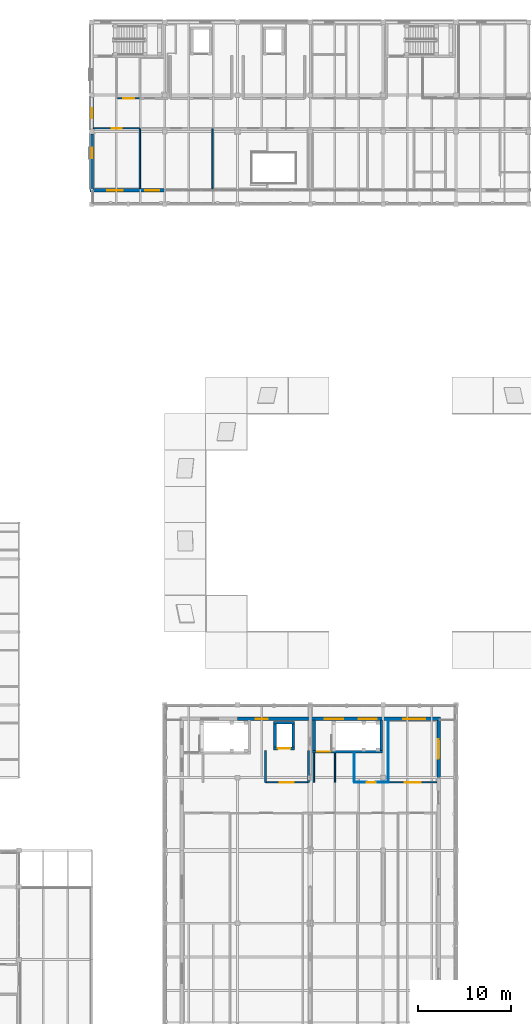
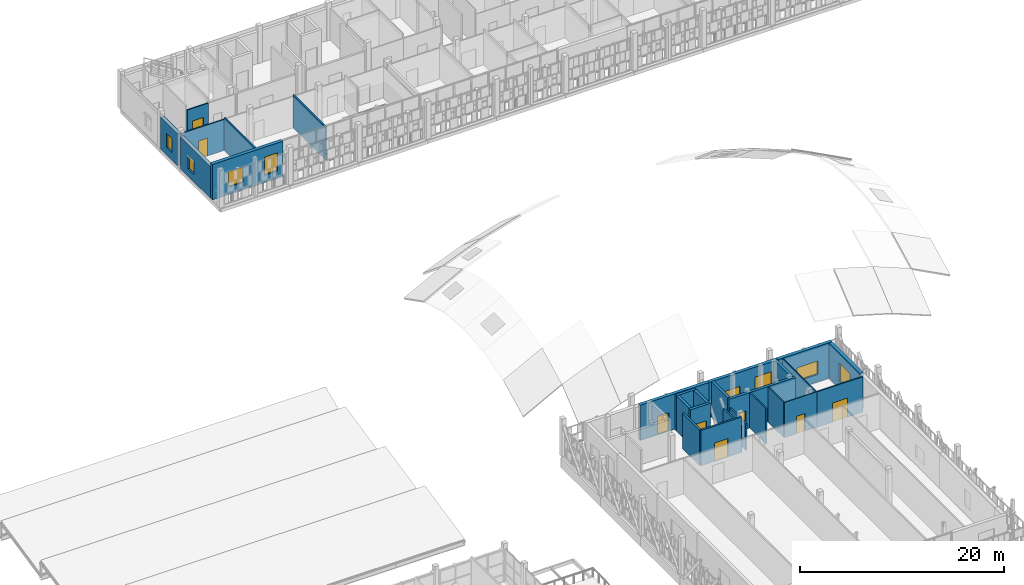
# One storey, part 68 of 89: 27 walls, 8 doors, 8 windows, 16 openings.
"""IFC4 building model written with IfcOpenShell, lengths in metres."""

from ifc_helpers import new_model, si_unit, direction, frame, frame_2d, origin, place, context, subcontext, project, spatial, rectangle, extrude, material, layer, layer_set, type_object, element, fill, save


model = new_model("IFC4")

# Units and contexts
model_context = context("Model", 3, precision=1e-05, world=origin(), true_north=direction((0.0, 1.0)))
body_context = subcontext(model_context, "Body", "Model", "MODEL_VIEW")
ifc_project = project(units=[si_unit("LENGTHUNIT", "METRE"), si_unit("AREAUNIT", "SQUARE_METRE"), si_unit("VOLUMEUNIT", "CUBIC_METRE"), si_unit("PLANEANGLEUNIT", "RADIAN"), si_unit("MASSUNIT", "GRAM", prefix="KILO")], contexts=[model_context])

# Site, building, storey
site_placement = place(None, origin())
site = spatial("IfcSite", under=ifc_project, at=site_placement, CompositionType="ELEMENT")
building_placement = place(site_placement, origin())
building = spatial("IfcBuilding", under=site, at=building_placement, Name="Celorna Specialist Clinic", CompositionType="ELEMENT")
storey_placement = place(building_placement, frame((0.0, 0.0, 14.10009765625)))
storey = spatial("IfcBuildingStorey", under=building, at=storey_placement, Name="L03", CompositionType="ELEMENT", Elevation=14.10009765625)

# Wall, openings, windows
ifc_material_1 = material(Name="Terracotta masonry with insulated cavity", Category="masonry")
ifc_layer_1 = layer(ifc_material_1, 0.3798828125, Name="Terracotta masonry with insulated cavity")
ifc_layer_set_1 = layer_set([ifc_layer_1], Name="Terracotta masonry with insulated cavity")
wall_type_1 = type_object("IfcWallType", Name="WT-06", PredefinedType="STANDARD", material=ifc_layer_set_1)
wall_1_placement = place(storey_placement, frame((54.60009765625, 98.0, 0.0), z_axis=(0.0, 0.0, 1.0), x_axis=(-1.0, 0.0, 0.0)))
wall_1 = element("IfcWall", 1, at=wall_1_placement, inside=storey, type_object=wall_type_1, Name="External facade wall WT-06 #254", PredefinedType="STANDARD", context=body_context, shape_type="SweptSolid", body=[
    extrude(rectangle(XDim=7.989990234375, YDim=0.3798828125, at=frame_2d((3.9951171875, 0.0))), origin(), (0.0, 0.0, 1.0), 4.260009765625),
])
opening_1_placement = place(wall_1_placement, frame((0.590087890625, 0.0, 0.89990234375)))
opening_1 = element("IfcOpeningElement", 2, at=opening_1_placement, cuts=wall_1, Name="Opening WN-10", PredefinedType="OPENING", context=body_context, shape_type="SweptSolid", body=[
    extrude(rectangle(XDim=1.5, YDim=2.199951171875, at=frame_2d((0.75, 1.10009765625))), frame((0.0, 0.199951171875, 0.0), z_axis=(0.0, -1.0, 0.0), x_axis=(1.0, 0.0, 0.0)), (0.0, 0.0, 1.0), 0.39990234375),
])
opening_2_placement = place(wall_1_placement, frame((4.489990234375, 0.0, 0.89990234375)))
opening_2 = element("IfcOpeningElement", 3, at=opening_2_placement, cuts=wall_1, Name="Opening WN-11", PredefinedType="OPENING", context=body_context, shape_type="SweptSolid", body=[
    extrude(rectangle(XDim=1.64990234375, YDim=1.85009765625, at=frame_2d((0.824951171875, 0.925048828125))), frame((0.0, 0.199951171875, 0.0), z_axis=(0.0, -1.0, 0.0), x_axis=(1.0, 0.0, 0.0)), (0.0, 0.0, 1.0), 0.39990234375),
])
ifc_material_2 = material(Name="Thermally broken aluminium triple-glazed window", Category="aluminium")
window_type_1 = type_object("IfcWindowType", Name="WN-10", PartitioningType="SINGLE_PANEL", PredefinedType="WINDOW", material=ifc_material_2)
window_1_placement = place(opening_1_placement, origin())
window_1 = element("IfcWindow", 4, at=window_1_placement, inside=storey, type_object=window_type_1, Name="Facade window WN-10 #133", OverallHeight=2.199951171875, OverallWidth=1.5, PartitioningType="SINGLE_PANEL", PredefinedType="WINDOW", context=body_context, shape_type="SweptSolid", body=[
    extrude(rectangle(XDim=1.5, YDim=2.199951171875, at=frame_2d((0.75, 1.10009765625))), frame((0.0, 0.030029296875, 0.0), z_axis=(0.0, -1.0, 0.0), x_axis=(1.0, 0.0, 0.0)), (0.0, 0.0, 1.0), 0.06005859375),
])
fill(opening_1, window_1)
window_type_2 = type_object("IfcWindowType", Name="WN-11", PartitioningType="SINGLE_PANEL", PredefinedType="WINDOW", material=ifc_material_2)
window_2_placement = place(opening_2_placement, origin())
window_2 = element("IfcWindow", 5, at=window_2_placement, inside=storey, type_object=window_type_2, Name="Facade window WN-11 #134", OverallHeight=1.85009765625, OverallWidth=1.64990234375, PartitioningType="SINGLE_PANEL", PredefinedType="WINDOW", context=body_context, shape_type="SweptSolid", body=[
    extrude(rectangle(XDim=1.64990234375, YDim=1.85009765625, at=frame_2d((0.824951171875, 0.925048828125))), frame((0.0, 0.030029296875, 0.0), z_axis=(0.0, -1.0, 0.0), x_axis=(1.0, 0.0, 0.0)), (0.0, 0.0, 1.0), 0.06005859375),
])
fill(opening_2, window_2)

# Wall, opening, window
wall_2_placement = place(storey_placement, frame((46.800048828125, 98.18994140625, 0.0), z_axis=(0.0, 0.0, 1.0), x_axis=(0.0, 1.0, 0.0)))
wall_2 = element("IfcWall", 6, at=wall_2_placement, inside=storey, type_object=wall_type_1, Name="External facade wall WT-06 #268", PredefinedType="STANDARD", context=body_context, shape_type="SweptSolid", body=[
    extrude(rectangle(XDim=5.860107421875, YDim=0.3798828125, at=frame_2d((2.93017578125, 0.0))), origin(), (0.0, 0.0, 1.0), 3.81982421875),
])
opening_3_placement = place(wall_2_placement, frame((3.25, 0.0, 0.89990234375)))
opening_3 = element("IfcOpeningElement", 7, at=opening_3_placement, cuts=wall_2, Name="Opening WN-03", PredefinedType="OPENING", context=body_context, shape_type="SweptSolid", body=[
    extrude(rectangle(XDim=1.10009765625, YDim=1.60009765625, at=frame_2d((0.550048828125, 0.800048828125))), frame((0.0, 0.199951171875, 0.0), z_axis=(0.0, -1.0, 0.0), x_axis=(1.0, 0.0, 0.0)), (0.0, 0.0, 1.0), 0.39990234375),
])
window_type_3 = type_object("IfcWindowType", Name="WN-03", PartitioningType="SINGLE_PANEL", PredefinedType="WINDOW", material=ifc_material_2)
window_3_placement = place(opening_3_placement, origin())
window_3 = element("IfcWindow", 8, at=window_3_placement, inside=storey, type_object=window_type_3, Name="Facade window WN-03 #146", OverallHeight=1.60009765625, OverallWidth=1.10009765625, PartitioningType="SINGLE_PANEL", PredefinedType="WINDOW", context=body_context, shape_type="SweptSolid", body=[
    extrude(rectangle(XDim=1.10009765625, YDim=1.60009765625, at=frame_2d((0.550048828125, 0.800048828125))), frame((0.0, 0.030029296875, 0.0), z_axis=(0.0, -1.0, 0.0), x_axis=(1.0, 0.0, 0.0)), (0.0, 0.0, 1.0), 0.06005859375),
])
fill(opening_3, window_3)

wall_3_placement = place(storey_placement, frame((46.800048828125, 104.550048828125, 0.0), z_axis=(0.0, 0.0, 1.0), x_axis=(0.0, 1.0, 0.0)))
wall_3 = element("IfcWall", 9, at=wall_3_placement, inside=storey, type_object=wall_type_1, Name="External facade wall WT-06 #269", PredefinedType="STANDARD", context=body_context, shape_type="SweptSolid", body=[
    extrude(rectangle(XDim=3.39990234375, YDim=0.3798828125, at=frame_2d((1.699951171875, 0.0))), origin(), (0.0, 0.0, 1.0), 3.81982421875),
])
opening_4_placement = place(wall_3_placement, frame((1.175048828125, 0.0, 0.89990234375)))
opening_4 = element("IfcOpeningElement", 10, at=opening_4_placement, cuts=wall_3, Name="Opening WN-21", PredefinedType="OPENING", context=body_context, shape_type="SweptSolid", body=[
    extrude(rectangle(XDim=1.050048828125, YDim=1.64990234375, at=frame_2d((0.52490234375, 0.824951171875))), frame((0.0, 0.199951171875, 0.0), z_axis=(0.0, -1.0, 0.0), x_axis=(1.0, 0.0, 0.0)), (0.0, 0.0, 1.0), 0.39990234375),
])
window_type_4 = type_object("IfcWindowType", Name="WN-21", PartitioningType="SINGLE_PANEL", PredefinedType="WINDOW", material=ifc_material_2)
window_4_placement = place(opening_4_placement, origin())
window_4 = element("IfcWindow", 11, at=window_4_placement, inside=storey, type_object=window_type_4, Name="Facade window WN-21 #147", OverallHeight=1.64990234375, OverallWidth=1.050048828125, PartitioningType="SINGLE_PANEL", PredefinedType="WINDOW", context=body_context, shape_type="SweptSolid", body=[
    extrude(rectangle(XDim=1.050048828125, YDim=1.64990234375, at=frame_2d((0.52490234375, 0.824951171875))), frame((0.0, 0.030029296875, 0.0), z_axis=(0.0, -1.0, 0.0), x_axis=(1.0, 0.0, 0.0)), (0.0, 0.0, 1.0), 0.06005859375),
])
fill(opening_4, window_4)

# Wall, opening, door
wall_4_placement = place(storey_placement, frame((62.39990234375, 41.39990234375, 0.0), z_axis=(0.0, 0.0, 1.0), x_axis=(1.0, 0.0, 0.0)))
wall_4 = element("IfcWall", 12, at=wall_4_placement, inside=storey, type_object=wall_type_1, Name="External facade wall WT-06 #412", PredefinedType="STANDARD", context=body_context, shape_type="SweptSolid", body=[
    extrude(rectangle(XDim=7.800048828125, YDim=0.3798828125, at=frame_2d((3.89990234375, 0.0))), origin(), (0.0, 0.0, 1.0), 4.239990234375),
])
opening_5_placement = place(wall_4_placement, frame((1.97509765625, 0.0, 0.0)))
opening_5 = element("IfcOpeningElement", 13, at=opening_5_placement, cuts=wall_4, Name="Opening DR-13", PredefinedType="OPENING", context=body_context, shape_type="SweptSolid", body=[
    extrude(rectangle(XDim=1.25, YDim=2.199951171875, at=frame_2d((0.625, 1.10009765625))), frame((0.0, 0.199951171875, 0.0), z_axis=(0.0, -1.0, 0.0), x_axis=(1.0, 0.0, 0.0)), (0.0, 0.0, 1.0), 0.39990234375),
])
ifc_material_3 = material(Name="Thermally broken glazed terrace door")
door_type_1 = type_object("IfcDoorType", Name="DR-13", OperationType="NOTDEFINED", PredefinedType="DOOR", material=ifc_material_3)
door_1_placement = place(opening_5_placement, frame((1.25, 0.0, 0.0), z_axis=(0.0, 0.0, 1.0), x_axis=(-1.0, 0.0, 0.0)))
door_1 = element("IfcDoor", 14, at=door_1_placement, inside=storey, type_object=door_type_1, Name="Terrace access door TER-V6-N-L03", OperationType="SINGLE_SWING_LEFT", OverallHeight=2.199951171875, OverallWidth=1.25, PredefinedType="DOOR", context=body_context, shape_type="SweptSolid", body=[
    extrude(rectangle(XDim=1.25, YDim=2.199951171875, at=frame_2d((0.625, 1.10009765625))), frame((0.0, 0.02490234375, 0.0), z_axis=(0.0, -1.0, 0.0), x_axis=(1.0, 0.0, 0.0)), (0.0, 0.0, 1.0), 0.050048828125),
])
fill(opening_5, door_1)

# Wall, openings, windows
wall_5_placement = place(storey_placement, frame((70.199951171875, 41.39990234375, 0.0), z_axis=(0.0, 0.0, 1.0), x_axis=(1.0, 0.0, 0.0)))
wall_5 = element("IfcWall", 15, at=wall_5_placement, inside=storey, type_object=wall_type_1, Name="External facade wall WT-06 #413", PredefinedType="STANDARD", context=body_context, shape_type="SweptSolid", body=[
    extrude(rectangle(XDim=7.800048828125, YDim=0.3798828125, at=frame_2d((3.89990234375, 0.0))), origin(), (0.0, 0.0, 1.0), 4.239990234375),
])
opening_6_placement = place(wall_5_placement, frame((1.56494140625, 0.0, 0.89990234375)))
opening_6 = element("IfcOpeningElement", 16, at=opening_6_placement, cuts=wall_5, Name="Opening WN-15", PredefinedType="OPENING", context=body_context, shape_type="SweptSolid", body=[
    extrude(rectangle(XDim=1.949951171875, YDim=1.64990234375, at=frame_2d((0.97509765625, 0.824951171875))), frame((0.0, 0.199951171875, 0.0), z_axis=(0.0, -1.0, 0.0), x_axis=(1.0, 0.0, 0.0)), (0.0, 0.0, 1.0), 0.39990234375),
])
opening_7_placement = place(wall_5_placement, frame((5.1650390625, 0.0, 0.89990234375)))
opening_7 = element("IfcOpeningElement", 17, at=opening_7_placement, cuts=wall_5, Name="Opening WN-16", PredefinedType="OPENING", context=body_context, shape_type="SweptSolid", body=[
    extrude(rectangle(XDim=1.949951171875, YDim=2.14990234375, at=frame_2d((0.97509765625, 1.074951171875))), frame((0.0, 0.199951171875, 0.0), z_axis=(0.0, -1.0, 0.0), x_axis=(1.0, 0.0, 0.0)), (0.0, 0.0, 1.0), 0.39990234375),
])
ifc_material_4 = material(Name="Screen-aligned modular clinic window")
window_type_5 = type_object("IfcWindowType", Name="WN-15", PartitioningType="SINGLE_PANEL", PredefinedType="WINDOW", material=ifc_material_4)
window_5_placement = place(opening_6_placement, origin())
window_5 = element("IfcWindow", 18, at=window_5_placement, inside=storey, type_object=window_type_5, Name="Facade window WN-15 #271", OverallHeight=1.64990234375, OverallWidth=1.949951171875, PartitioningType="SINGLE_PANEL", PredefinedType="WINDOW", context=body_context, shape_type="SweptSolid", body=[
    extrude(rectangle(XDim=1.949951171875, YDim=1.64990234375, at=frame_2d((0.97509765625, 0.824951171875))), frame((0.0, 0.030029296875, 0.0), z_axis=(0.0, -1.0, 0.0), x_axis=(1.0, 0.0, 0.0)), (0.0, 0.0, 1.0), 0.06005859375),
])
fill(opening_6, window_5)
window_type_6 = type_object("IfcWindowType", Name="WN-16", PartitioningType="SINGLE_PANEL", PredefinedType="WINDOW", material=ifc_material_4)
window_6_placement = place(opening_7_placement, origin())
window_6 = element("IfcWindow", 19, at=window_6_placement, inside=storey, type_object=window_type_6, Name="Facade window WN-16 #272", OverallHeight=2.14990234375, OverallWidth=1.949951171875, PartitioningType="SINGLE_PANEL", PredefinedType="WINDOW", context=body_context, shape_type="SweptSolid", body=[
    extrude(rectangle(XDim=1.949951171875, YDim=2.14990234375, at=frame_2d((0.97509765625, 1.074951171875))), frame((0.0, 0.030029296875, 0.0), z_axis=(0.0, -1.0, 0.0), x_axis=(1.0, 0.0, 0.0)), (0.0, 0.0, 1.0), 0.06005859375),
])
fill(opening_7, window_6)

# Wall, opening, window
wall_6_placement = place(storey_placement, frame((78.0, 41.39990234375, 0.0), z_axis=(0.0, 0.0, 1.0), x_axis=(1.0, 0.0, 0.0)))
wall_6 = element("IfcWall", 20, at=wall_6_placement, inside=storey, type_object=wall_type_1, Name="External facade wall WT-06 #414", PredefinedType="STANDARD", context=body_context, shape_type="SweptSolid", body=[
    extrude(rectangle(XDim=6.139892578125, YDim=0.3798828125, at=frame_2d((3.06982421875, 0.0))), origin(), (0.0, 0.0, 1.0), 4.239990234375),
])
opening_8_placement = place(wall_6_placement, frame((2.1298828125, 0.0, 0.89990234375)))
opening_8 = element("IfcOpeningElement", 21, at=opening_8_placement, cuts=wall_6, Name="Opening WN-18", PredefinedType="OPENING", context=body_context, shape_type="SweptSolid", body=[
    extrude(rectangle(XDim=2.39990234375, YDim=1.60009765625, at=frame_2d((1.199951171875, 0.800048828125))), frame((0.0, 0.199951171875, 0.0), z_axis=(0.0, -1.0, 0.0), x_axis=(1.0, 0.0, 0.0)), (0.0, 0.0, 1.0), 0.39990234375),
])
ifc_material_5 = material(Name="Infusion suite panoramic window")
window_type_7 = type_object("IfcWindowType", Name="WN-18", PartitioningType="SINGLE_PANEL", PredefinedType="WINDOW", material=ifc_material_5)
window_7_placement = place(opening_8_placement, origin())
window_7 = element("IfcWindow", 22, at=window_7_placement, inside=storey, type_object=window_type_7, Name="Facade window WN-18 #273", OverallHeight=1.60009765625, OverallWidth=2.39990234375, PartitioningType="SINGLE_PANEL", PredefinedType="WINDOW", context=body_context, shape_type="SweptSolid", body=[
    extrude(rectangle(XDim=2.39990234375, YDim=1.60009765625, at=frame_2d((1.199951171875, 0.800048828125))), frame((0.0, 0.030029296875, 0.0), z_axis=(0.0, -1.0, 0.0), x_axis=(1.0, 0.0, 0.0)), (0.0, 0.0, 1.0), 0.06005859375),
])
fill(opening_8, window_7)

wall_7_placement = place(storey_placement, frame((83.949951171875, 41.2099609375, 0.0), z_axis=(0.0, 0.0, 1.0), x_axis=(0.0, -1.0, 0.0)))
wall_7 = element("IfcWall", 23, at=wall_7_placement, inside=storey, type_object=wall_type_1, Name="External facade wall WT-06 #424", PredefinedType="STANDARD", context=body_context, shape_type="SweptSolid", body=[
    extrude(rectangle(XDim=6.10986328125, YDim=0.3798828125, at=frame_2d((3.054931640625, 0.0))), origin(), (0.0, 0.0, 1.0), 4.239990234375),
])
opening_9_placement = place(wall_7_placement, frame((2.0048828125, 0.0, 0.89990234375)))
opening_9 = element("IfcOpeningElement", 24, at=opening_9_placement, cuts=wall_7, Name="Opening WN-27", PredefinedType="OPENING", context=body_context, shape_type="SweptSolid", body=[
    extrude(rectangle(XDim=2.10009765625, YDim=2.14990234375, at=frame_2d((1.050048828125, 1.074951171875))), frame((0.0, 0.199951171875, 0.0), z_axis=(0.0, -1.0, 0.0), x_axis=(1.0, 0.0, 0.0)), (0.0, 0.0, 1.0), 0.39990234375),
])
window_type_8 = type_object("IfcWindowType", Name="WN-27", PartitioningType="SINGLE_PANEL", PredefinedType="WINDOW", material=ifc_material_2)
window_8_placement = place(opening_9_placement, origin())
window_8 = element("IfcWindow", 25, at=window_8_placement, inside=storey, type_object=window_type_8, Name="Facade window WN-27 #280", OverallHeight=2.14990234375, OverallWidth=2.10009765625, PartitioningType="SINGLE_PANEL", PredefinedType="WINDOW", context=body_context, shape_type="SweptSolid", body=[
    extrude(rectangle(XDim=2.10009765625, YDim=2.14990234375, at=frame_2d((1.050048828125, 1.074951171875))), frame((0.0, 0.030029296875, 0.0), z_axis=(0.0, -1.0, 0.0), x_axis=(1.0, 0.0, 0.0)), (0.0, 0.0, 1.0), 0.06005859375),
])
fill(opening_9, window_8)

# Wall, opening, door
ifc_material_6 = material(Name="Concrete C35/45", Category="concrete")
ifc_layer_2 = layer(ifc_material_6, 0.300048828125, Name="Concrete C35/45")
ifc_layer_set_2 = layer_set([ifc_layer_2], Name="Concrete C35/45")
wall_type_2 = type_object("IfcWallType", Name="WT-08", PredefinedType="SHEAR", material=ifc_layer_set_2)
wall_8_placement = place(storey_placement, frame((70.43994140625, 37.8701171875, 0.0), z_axis=(0.0, 0.0, 1.0), x_axis=(1.0, 0.0, 0.0)))
wall_8 = element("IfcWall", 26, at=wall_8_placement, inside=storey, type_object=wall_type_2, Name="Stair ST-09 RC core wall L03 south", PredefinedType="SHEAR", context=body_context, shape_type="SweptSolid", body=[
    extrude(rectangle(XDim=7.5, YDim=0.300048828125, at=frame_2d((3.75, 0.0))), origin(), (0.0, 0.0, 1.0), 4.239990234375),
])
opening_10_placement = place(wall_8_placement, frame((0.5, 0.0, 0.0)))
opening_10 = element("IfcOpeningElement", 27, at=opening_10_placement, cuts=wall_8, Name="Opening DR-10", PredefinedType="OPENING", context=body_context, shape_type="SweptSolid", body=[
    extrude(rectangle(XDim=1.39990234375, YDim=2.199951171875, at=frame_2d((0.699951171875, 1.10009765625))), frame((0.0, 0.159912109375, 0.0), z_axis=(0.0, -1.0, 0.0), x_axis=(1.0, 0.0, 0.0)), (0.0, 0.0, 1.0), 0.320068359375),
])
ifc_material_7 = material(Name="Protected exit stair fire door")
door_type_2 = type_object("IfcDoorType", Name="DR-10", OperationType="NOTDEFINED", PredefinedType="DOOR", material=ifc_material_7)
door_2_placement = place(opening_10_placement, origin())
door_2 = element("IfcDoor", 28, at=door_2_placement, inside=storey, type_object=door_type_2, Name="Protected exit stair door ST-09 L03", OperationType="SINGLE_SWING_LEFT", OverallHeight=2.199951171875, OverallWidth=1.39990234375, PredefinedType="DOOR", context=body_context, shape_type="SweptSolid", body=[
    extrude(rectangle(XDim=1.39990234375, YDim=2.199951171875, at=frame_2d((0.699951171875, 1.10009765625))), frame((0.0, 0.02490234375, 0.0), z_axis=(0.0, -1.0, 0.0), x_axis=(1.0, 0.0, 0.0)), (0.0, 0.0, 1.0), 0.050048828125),
])
fill(opening_10, door_2)

# Walls
for number, where, z_axis, x_axis, name in (
    (29, (70.590087890625, 41.25, 0.0), (0.0, 0.0, 1.0), (0.0, -1.0, 0.0), "Stair ST-09 RC core wall L03 west"),
    (30, (77.7900390625, 38.02001953125, 0.0), (0.0, 0.0, 1.0), (0.0, 1.0, 0.0), "Stair ST-09 RC core wall L03 east"),
):
    element("IfcWall", number, at=place(storey_placement, frame(where, z_axis=z_axis, x_axis=x_axis)), inside=storey, type_object=wall_type_2, Name=name, PredefinedType="SHEAR", context=body_context, shape_type="SweptSolid", body=[
        extrude(rectangle(XDim=3.22998046875, YDim=0.300048828125, at=frame_2d((1.614990234375, 0.0))), origin(), (0.0, 0.0, 1.0), 4.239990234375),
    ])

# Wall, opening, door
wall_9_placement = place(storey_placement, frame((66.27490234375, 38.22509765625, 0.0), z_axis=(0.0, 0.0, 1.0), x_axis=(1.0, 0.0, 0.0)))
wall_9 = element("IfcWall", 31, at=wall_9_placement, inside=storey, type_object=wall_type_2, Name="Lift LF-07 RC shaft wall L03", PredefinedType="SHEAR", context=body_context, shape_type="SweptSolid", body=[
    extrude(rectangle(XDim=2.25, YDim=0.300048828125, at=frame_2d((1.125, 0.0))), origin(), (0.0, 0.0, 1.0), 4.239990234375),
])
opening_11_placement = place(wall_9_placement, frame((0.449951171875, 0.0, 0.0)))
opening_11 = element("IfcOpeningElement", 32, at=opening_11_placement, cuts=wall_9, Name="Opening LD-02", PredefinedType="OPENING", context=body_context, shape_type="SweptSolid", body=[
    extrude(rectangle(XDim=1.35009765625, YDim=2.300048828125, at=frame_2d((0.675048828125, 1.14990234375))), frame((0.0, 0.159912109375, 0.0), z_axis=(0.0, -1.0, 0.0), x_axis=(1.0, 0.0, 0.0)), (0.0, 0.0, 1.0), 0.320068359375),
])
ifc_material_8 = material(Name="Firefighting stretcher lift landing sliding door")
door_type_3 = type_object("IfcDoorType", Name="LD-02", OperationType="DOUBLE_DOOR_SLIDING", PredefinedType="DOOR", material=ifc_material_8)
door_3_placement = place(opening_11_placement, origin())
door_3 = element("IfcDoor", 33, at=door_3_placement, inside=storey, type_object=door_type_3, Name="Lift LF-07 sliding landing door L03", OperationType="DOUBLE_DOOR_SLIDING", OverallHeight=2.300048828125, OverallWidth=1.35009765625, PredefinedType="DOOR", context=body_context, shape_type="SweptSolid", body=[
    extrude(rectangle(XDim=1.35009765625, YDim=2.300048828125, at=frame_2d((0.675048828125, 1.14990234375))), frame((0.0, 0.02490234375, 0.0), z_axis=(0.0, -1.0, 0.0), x_axis=(1.0, 0.0, 0.0)), (0.0, 0.0, 1.0), 0.050048828125),
])
fill(opening_11, door_3)

# Walls
wall_10_placement = place(storey_placement, frame((68.52490234375, 40.97509765625, 0.0), z_axis=(0.0, 0.0, 1.0), x_axis=(-1.0, 0.0, 0.0)))
element("IfcWall", 34, at=wall_10_placement, inside=storey, type_object=wall_type_2, Name="Lift LF-07 RC shaft wall L03", PredefinedType="SHEAR", context=body_context, shape_type="SweptSolid", body=[
    extrude(rectangle(XDim=2.25, YDim=0.300048828125, at=frame_2d((1.125, 0.0))), origin(), (0.0, 0.0, 1.0), 4.239990234375),
])
for number, where, z_axis, x_axis, name in (
    (35, (66.425048828125, 40.824951171875, 0.0), (0.0, 0.0, 1.0), (0.0, -1.0, 0.0), "Lift LF-07 RC shaft wall L03"),
    (36, (68.375, 38.375, 0.0), (0.0, 0.0, 1.0), (0.0, 1.0, 0.0), "Lift LF-07 RC shaft wall L03"),
):
    element("IfcWall", number, at=place(storey_placement, frame(where, z_axis=z_axis, x_axis=x_axis)), inside=storey, type_object=wall_type_2, Name=name, PredefinedType="SHEAR", context=body_context, shape_type="SweptSolid", body=[
        extrude(rectangle(XDim=2.449951171875, YDim=0.300048828125, at=frame_2d((1.22509765625, 0.0))), origin(), (0.0, 0.0, 1.0), 4.239990234375),
    ])

# Wall, opening, door
ifc_layer_3 = layer(ifc_material_6, 0.199951171875, Name="Concrete C35/45")
ifc_layer_set_3 = layer_set([ifc_layer_3], Name="Concrete C35/45")
wall_type_3 = type_object("IfcWallType", Name="WT-12", PredefinedType="SOLIDWALL", material=ifc_layer_set_3)
wall_11_placement = place(storey_placement, frame((65.39990234375, 34.60009765625, 0.0), z_axis=(0.0, 0.0, 1.0), x_axis=(1.0, 0.0, 0.0)))
wall_11 = element("IfcWall", 37, at=wall_11_placement, inside=storey, type_object=wall_type_3, Name="Firefighting lobby wall LF-07 L03", PredefinedType="SOLIDWALL", context=body_context, shape_type="SweptSolid", body=[
    extrude(rectangle(XDim=4.60009765625, YDim=0.199951171875, at=frame_2d((2.300048828125, 0.0))), origin(), (0.0, 0.0, 1.0), 4.239990234375),
])
opening_12_placement = place(wall_11_placement, frame((1.550048828125, 0.0, 0.0)))
opening_12 = element("IfcOpeningElement", 38, at=opening_12_placement, cuts=wall_11, Name="Opening DR-11", PredefinedType="OPENING", context=body_context, shape_type="SweptSolid", body=[
    extrude(rectangle(XDim=1.5, YDim=2.199951171875, at=frame_2d((0.75, 1.10009765625))), frame((0.0, 0.10986328125, 0.0), z_axis=(0.0, -1.0, 0.0), x_axis=(1.0, 0.0, 0.0)), (0.0, 0.0, 1.0), 0.219970703125),
])
ifc_material_9 = material(Name="Firefighting lobby double fire door")
door_type_4 = type_object("IfcDoorType", Name="DR-11", OperationType="DOUBLE_DOOR_SINGLE_SWING", PredefinedType="DOOR", material=ifc_material_9)
door_4_placement = place(opening_12_placement, origin())
door_4 = element("IfcDoor", 39, at=door_4_placement, inside=storey, type_object=door_type_4, Name="Firefighting lobby fire door LF-07 L03", OperationType="DOUBLE_DOOR_SINGLE_SWING", OverallHeight=2.199951171875, OverallWidth=1.5, PredefinedType="DOOR", context=body_context, shape_type="SweptSolid", body=[
    extrude(rectangle(XDim=1.5, YDim=2.199951171875, at=frame_2d((0.75, 1.10009765625))), frame((0.0, 0.02490234375, 0.0), z_axis=(0.0, -1.0, 0.0), x_axis=(1.0, 0.0, 0.0)), (0.0, 0.0, 1.0), 0.050048828125),
])
fill(opening_12, door_4)

# Walls
wall_12_placement = place(storey_placement, frame((65.39990234375, 38.0, 0.0), z_axis=(0.0, 0.0, 1.0), x_axis=(0.0, -1.0, 0.0)))
element("IfcWall", 40, at=wall_12_placement, inside=storey, type_object=wall_type_3, Name="Firefighting lobby wall LF-07 L03", PredefinedType="SOLIDWALL", context=body_context, shape_type="SweptSolid", body=[
    extrude(rectangle(XDim=3.39990234375, YDim=0.199951171875, at=frame_2d((1.699951171875, 0.0))), origin(), (0.0, 0.0, 1.0), 4.239990234375),
])
wall_13_placement = place(storey_placement, frame((70.0, 34.60009765625, 0.0), z_axis=(0.0, 0.0, 1.0), x_axis=(0.0, 1.0, 0.0)))
element("IfcWall", 41, at=wall_13_placement, inside=storey, type_object=wall_type_3, Name="Firefighting lobby wall LF-07 L03", PredefinedType="SOLIDWALL", context=body_context, shape_type="SweptSolid", body=[
    extrude(rectangle(XDim=3.39990234375, YDim=0.199951171875, at=frame_2d((1.699951171875, 0.0))), origin(), (0.0, 0.0, 1.0), 3.18994140625),
])
ifc_material_10 = material(Name="Fire-rated gypsum board partition")
ifc_layer_4 = layer(ifc_material_10, 0.14990234375, Name="Fire-rated gypsum board partition")
ifc_layer_set_4 = layer_set([ifc_layer_4], Name="Fire-rated gypsum board partition")
wall_type_4 = type_object("IfcWallType", Name="WT-14", PredefinedType="PARTITIONING", material=ifc_layer_set_4)
wall_14_placement = place(storey_placement, frame((70.590087890625, 34.60009765625, 0.0), z_axis=(0.0, 0.0, 1.0), x_axis=(0.0, 1.0, 0.0)))
element("IfcWall", 42, at=wall_14_placement, inside=storey, type_object=wall_type_4, Name="Corridor spur partition WT-14", PredefinedType="PARTITIONING", context=body_context, shape_type="SweptSolid", body=[
    extrude(rectangle(XDim=3.119873046875, YDim=0.14990234375, at=frame_2d((1.56005859375, 0.0))), origin(), (0.0, 0.0, 1.0), 3.18994140625),
])
wall_15_placement = place(storey_placement, frame((72.840087890625, 34.60009765625, 0.0), z_axis=(0.0, 0.0, 1.0), x_axis=(0.0, 1.0, 0.0)))
element("IfcWall", 43, at=wall_15_placement, inside=storey, type_object=wall_type_4, Name="Corridor spur partition WT-14", PredefinedType="PARTITIONING", context=body_context, shape_type="SweptSolid", body=[
    extrude(rectangle(XDim=3.119873046875, YDim=0.14990234375, at=frame_2d((1.56005859375, 0.0))), origin(), (0.0, 0.0, 1.0), 4.239990234375),
])

# Wall, opening, door
wall_16_placement = place(storey_placement, frame((51.93994140625, 104.64990234375, 0.0), z_axis=(0.0, 0.0, 1.0), x_axis=(-1.0, 0.0, 0.0)))
wall_16 = element("IfcWall", 44, at=wall_16_placement, inside=storey, type_object=wall_type_4, Name="Interior partition WT-14 L03-012", PredefinedType="PARTITIONING", context=body_context, shape_type="SweptSolid", body=[
    extrude(rectangle(XDim=4.949951171875, YDim=0.14990234375, at=frame_2d((2.47509765625, 0.0))), origin(), (0.0, 0.0, 1.0), 3.719970703125),
])
opening_13_placement = place(wall_16_placement, frame((1.949951171875, 0.0, 0.0)))
opening_13 = element("IfcOpeningElement", 45, at=opening_13_placement, cuts=wall_16, Name="Opening DR-05", PredefinedType="OPENING", context=body_context, shape_type="SweptSolid", body=[
    extrude(rectangle(XDim=1.050048828125, YDim=2.14990234375, at=frame_2d((0.52490234375, 1.074951171875))), frame((0.0, 0.0849609375, 0.0), z_axis=(0.0, -1.0, 0.0), x_axis=(1.0, 0.0, 0.0)), (0.0, 0.0, 1.0), 0.169921875),
])
ifc_material_11 = material(Name="Timber examination room door", Category="wood")
door_type_5 = type_object("IfcDoorType", Name="DR-05", OperationType="NOTDEFINED", PredefinedType="DOOR", material=ifc_material_11)
door_5_placement = place(opening_13_placement, origin())
door_5 = element("IfcDoor", 46, at=door_5_placement, inside=storey, type_object=door_type_5, Name="Cardiology Echocardiography Clinic door L03-012", OperationType="SINGLE_SWING_RIGHT", OverallHeight=2.14990234375, OverallWidth=1.050048828125, PredefinedType="DOOR", context=body_context, shape_type="SweptSolid", body=[
    extrude(rectangle(XDim=1.050048828125, YDim=2.14990234375, at=frame_2d((0.52490234375, 1.074951171875))), frame((0.0, 0.02490234375, 0.0), z_axis=(0.0, -1.0, 0.0), x_axis=(1.0, 0.0, 0.0)), (0.0, 0.0, 1.0), 0.050048828125),
])
fill(opening_13, door_5)

wall_17_placement = place(storey_placement, frame((49.56005859375, 107.85009765625, 0.0), z_axis=(0.0, 0.0, 1.0), x_axis=(1.0, 0.0, 0.0)))
wall_17 = element("IfcWall", 47, at=wall_17_placement, inside=storey, type_object=wall_type_4, Name="Interior partition WT-14 L03-027", PredefinedType="PARTITIONING", context=body_context, shape_type="SweptSolid", body=[
    extrude(rectangle(XDim=2.3798828125, YDim=0.14990234375, at=frame_2d((1.18994140625, 0.0))), origin(), (0.0, 0.0, 1.0), 3.719970703125),
])
opening_14_placement = place(wall_17_placement, frame((0.590087890625, 0.0, 0.0)))
opening_14 = element("IfcOpeningElement", 48, at=opening_14_placement, cuts=wall_17, Name="Opening DR-08", PredefinedType="OPENING", context=body_context, shape_type="SweptSolid", body=[
    extrude(rectangle(XDim=1.199951171875, YDim=2.199951171875, at=frame_2d((0.60009765625, 1.10009765625))), frame((0.0, 0.0849609375, 0.0), z_axis=(0.0, -1.0, 0.0), x_axis=(1.0, 0.0, 0.0)), (0.0, 0.0, 1.0), 0.169921875),
])
ifc_material_12 = material(Name="Stretcher-width clinical door")
door_type_6 = type_object("IfcDoorType", Name="DR-08", OperationType="NOTDEFINED", PredefinedType="DOOR", material=ifc_material_12)
door_6_placement = place(opening_14_placement, origin())
door_6 = element("IfcDoor", 49, at=door_6_placement, inside=storey, type_object=door_type_6, Name="Outpatient Waiting Lounge door L03-027", OperationType="SINGLE_SWING_LEFT", OverallHeight=2.199951171875, OverallWidth=1.199951171875, PredefinedType="DOOR", context=body_context, shape_type="SweptSolid", body=[
    extrude(rectangle(XDim=1.199951171875, YDim=2.199951171875, at=frame_2d((0.60009765625, 1.10009765625))), frame((0.0, 0.02490234375, 0.0), z_axis=(0.0, -1.0, 0.0), x_axis=(1.0, 0.0, 0.0)), (0.0, 0.0, 1.0), 0.050048828125),
])
fill(opening_14, door_6)

wall_18_placement = place(storey_placement, frame((78.5400390625, 34.60009765625, 0.0), z_axis=(0.0, 0.0, 1.0), x_axis=(1.0, 0.0, 0.0)))
wall_18 = element("IfcWall", 50, at=wall_18_placement, inside=storey, type_object=wall_type_4, Name="Interior partition WT-14 L03-060", PredefinedType="PARTITIONING", context=body_context, shape_type="SweptSolid", body=[
    extrude(rectangle(XDim=5.219970703125, YDim=0.14990234375, at=frame_2d((2.60986328125, 0.0))), origin(), (0.0, 0.0, 1.0), 4.239990234375),
])
opening_15_placement = place(wall_18_placement, frame((1.75, 0.0, 0.0)))
opening_15 = element("IfcOpeningElement", 51, at=opening_15_placement, cuts=wall_18, Name="Opening DR-24", PredefinedType="OPENING", context=body_context, shape_type="SweptSolid", body=[
    extrude(rectangle(XDim=1.719970703125, YDim=2.300048828125, at=frame_2d((0.85986328125, 1.14990234375))), frame((0.0, 0.0849609375, 0.0), z_axis=(0.0, -1.0, 0.0), x_axis=(1.0, 0.0, 0.0)), (0.0, 0.0, 1.0), 0.169921875),
])
ifc_material_13 = material(Name="Double leaf clinical waiting door")
door_type_7 = type_object("IfcDoorType", Name="DR-24", OperationType="DOUBLE_DOOR_SINGLE_SWING", PredefinedType="DOOR", material=ifc_material_13)
door_7_placement = place(opening_15_placement, origin())
door_7 = element("IfcDoor", 52, at=door_7_placement, inside=storey, type_object=door_type_7, Name="Translational Oncology Research Laboratory door L03-060", OperationType="DOUBLE_DOOR_SINGLE_SWING", OverallHeight=2.300048828125, OverallWidth=1.719970703125, PredefinedType="DOOR", context=body_context, shape_type="SweptSolid", body=[
    extrude(rectangle(XDim=1.719970703125, YDim=2.300048828125, at=frame_2d((0.85986328125, 1.14990234375))), frame((0.0, 0.02490234375, 0.0), z_axis=(0.0, -1.0, 0.0), x_axis=(1.0, 0.0, 0.0)), (0.0, 0.0, 1.0), 0.050048828125),
])
fill(opening_15, door_7)

# Walls
for number, where, z_axis, x_axis, name in (
    (53, (51.93994140625, 98.18994140625, 0.0), (0.0, 0.0, 1.0), (0.0, 1.0, 0.0), "Room dividing partition WT-14 L03-012"),
    (54, (59.739990234375, 98.18994140625, 0.0), (0.0, 0.0, 1.0), (0.0, 1.0, 0.0), "Room dividing partition WT-14 L03-013"),
):
    element("IfcWall", number, at=place(storey_placement, frame(where, z_axis=z_axis, x_axis=x_axis)), inside=storey, type_object=wall_type_4, Name=name, PredefinedType="PARTITIONING", context=body_context, shape_type="SweptSolid", body=[
        extrude(rectangle(XDim=6.385009765625, YDim=0.14990234375, at=frame_2d((3.1923828125, 0.0))), origin(), (0.0, 0.0, 1.0), 3.949951171875),
    ])

# Wall, opening, door
ifc_material_14 = material(Name="Moisture-resistant gypsum partition")
ifc_layer_5 = layer(ifc_material_14, 0.10009765625, Name="Moisture-resistant gypsum partition")
ifc_layer_set_5 = layer_set([ifc_layer_5], Name="Moisture-resistant gypsum partition")
wall_type_5 = type_object("IfcWallType", Name="WT-16", PredefinedType="PARTITIONING", material=ifc_layer_set_5)
wall_19_placement = place(storey_placement, frame((74.889892578125, 34.60009765625, 0.0), z_axis=(0.0, 0.0, 1.0), x_axis=(1.0, 0.0, 0.0)))
wall_19 = element("IfcWall", 55, at=wall_19_placement, inside=storey, type_object=wall_type_5, Name="Interior partition WT-16 L03-059", PredefinedType="PARTITIONING", context=body_context, shape_type="SweptSolid", body=[
    extrude(rectangle(XDim=3.650146484375, YDim=0.10009765625, at=frame_2d((1.8251953125, 0.0))), origin(), (0.0, 0.0, 1.0), 4.239990234375),
])
opening_16_placement = place(wall_19_placement, frame((1.35009765625, 0.0, 0.0)))
opening_16 = element("IfcOpeningElement", 56, at=opening_16_placement, cuts=wall_19, Name="Opening DR-03", PredefinedType="OPENING", context=body_context, shape_type="SweptSolid", body=[
    extrude(rectangle(XDim=0.949951171875, YDim=2.10009765625, at=frame_2d((0.47509765625, 1.050048828125))), frame((0.0, 0.06005859375, 0.0), z_axis=(0.0, -1.0, 0.0), x_axis=(1.0, 0.0, 0.0)), (0.0, 0.0, 1.0), 0.1201171875),
])
ifc_material_15 = material(Name="Moisture-resistant accessible WC door")
door_type_8 = type_object("IfcDoorType", Name="DR-03", OperationType="NOTDEFINED", PredefinedType="DOOR", material=ifc_material_15)
door_8_placement = place(opening_16_placement, origin())
door_8 = element("IfcDoor", 57, at=door_8_placement, inside=storey, type_object=door_type_8, Name="Staff WC door L03-059", OperationType="SINGLE_SWING_RIGHT", OverallHeight=2.10009765625, OverallWidth=0.949951171875, PredefinedType="DOOR", context=body_context, shape_type="SweptSolid", body=[
    extrude(rectangle(XDim=0.949951171875, YDim=2.10009765625, at=frame_2d((0.47509765625, 1.050048828125))), frame((0.0, 0.02490234375, 0.0), z_axis=(0.0, -1.0, 0.0), x_axis=(1.0, 0.0, 0.0)), (0.0, 0.0, 1.0), 0.050048828125),
])
fill(opening_16, door_8)

# Walls
wall_20_placement = place(storey_placement, frame((74.889892578125, 34.64990234375, 0.0), z_axis=(0.0, 0.0, 1.0), x_axis=(0.0, 1.0, 0.0)))
element("IfcWall", 58, at=wall_20_placement, inside=storey, type_object=wall_type_5, Name="Room dividing partition WT-16 L03-059", PredefinedType="PARTITIONING", context=body_context, shape_type="SweptSolid", body=[
    extrude(rectangle(XDim=3.070068359375, YDim=0.10009765625, at=frame_2d((1.53515625, 0.0))), origin(), (0.0, 0.0, 1.0), 4.239990234375),
])
wall_21_placement = place(storey_placement, frame((78.5400390625, 34.675048828125, 0.0), z_axis=(0.0, 0.0, 1.0), x_axis=(0.0, 1.0, 0.0)))
element("IfcWall", 59, at=wall_21_placement, inside=storey, type_object=wall_type_5, Name="Room dividing partition WT-16 L03-059", PredefinedType="PARTITIONING", context=body_context, shape_type="SweptSolid", body=[
    extrude(rectangle(XDim=6.534912109375, YDim=0.10009765625, at=frame_2d((3.267578125, 0.0))), origin(), (0.0, 0.0, 1.0), 4.239990234375),
])

save(model, "model.ifc")
